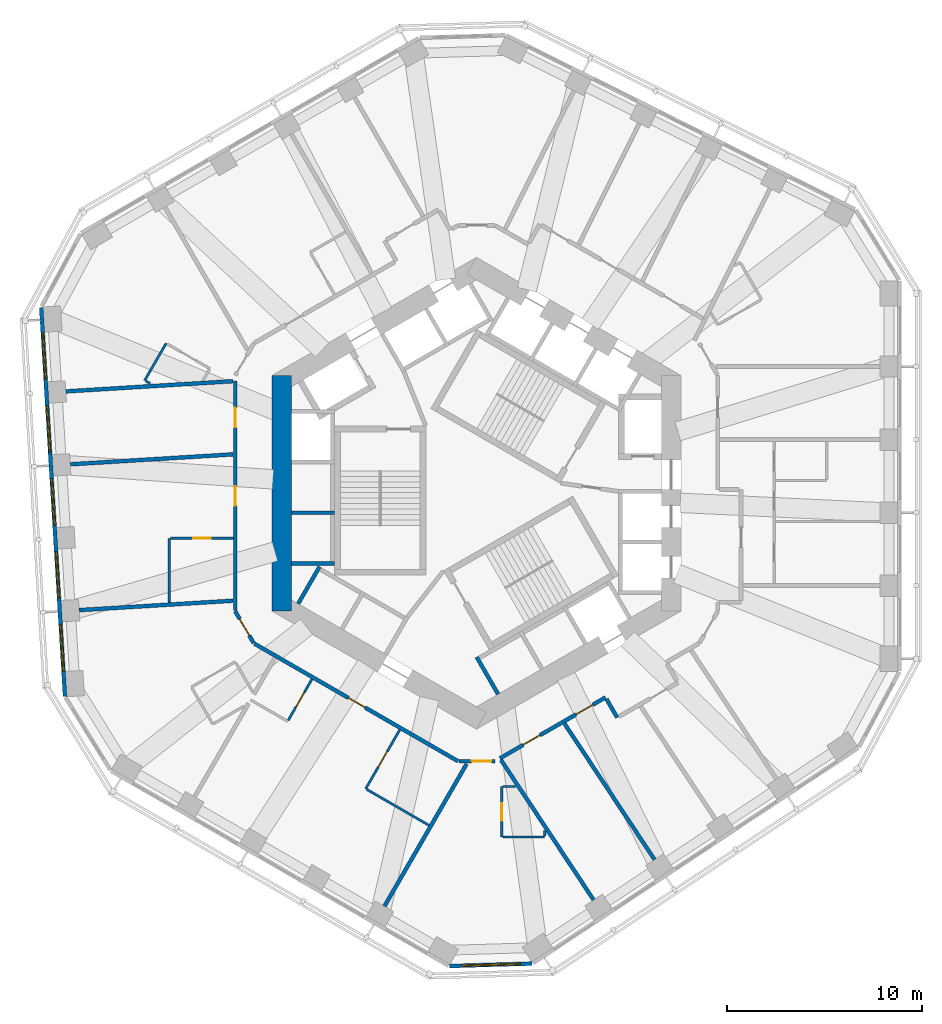
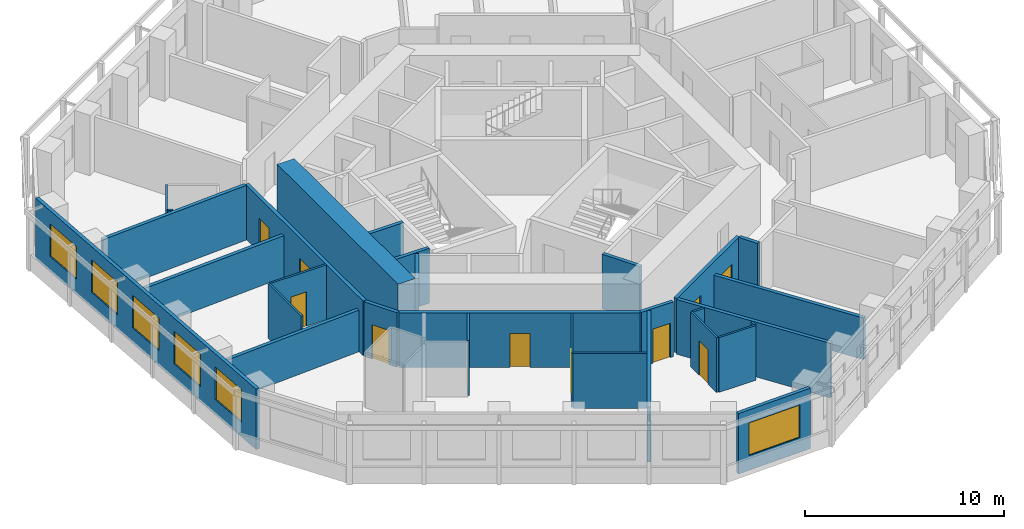
# One storey, part 4 of 11: 30 walls, 11 doors, 6 windows, 17 openings.
"""IFC4 building model written with IfcOpenShell, lengths in metres."""

import ifcopenshell
import ifcopenshell.guid

model = None  # the IFC model being written
_history = None  # IfcOwnerHistory: only IFC2X3 demands one
_inside = {}  # id of a spatial element -> (the spatial element, [elements in it])
_under = {}  # id of a project, library or spatial element -> (it, [spatial elements below it])
_declared = {}  # id of a project -> (the project, [libraries it declares])
_typed = {}  # id of a type object -> (the type object, [elements of that type])
_made_of = {}  # id of a material, layer set ... -> (it, [elements and type objects made of it])


def new_model(schema):
    """Start an empty IFC model of exactly this schema.

    Asked for "IFC4X3", IfcOpenShell would pick the latest addendum, in which some entities
    have other attributes; the version numbers below select the first issue.
    IFC2X3 requires an IfcOwnerHistory on every rooted entity: one is made here for all.
    """
    global model, _history
    if schema == "IFC4X3":
        model = ifcopenshell.file(schema_version=(4, 3, 0, 0))
    else:
        model = ifcopenshell.file(schema=schema)
    _inside.clear()
    _under.clear()
    _declared.clear()
    _typed.clear()
    _made_of.clear()
    _history = None
    if model.schema == "IFC2X3":
        org = make("IfcOrganization", Name="unknown")
        user = make(
            "IfcPersonAndOrganization",
            ThePerson=make("IfcPerson", FamilyName="unknown"),
            TheOrganization=org,
        )
        app = make(
            "IfcApplication",
            ApplicationDeveloper=org,
            Version="unknown",
            ApplicationFullName="unknown",
            ApplicationIdentifier="unknown",
        )
        _history = make(
            "IfcOwnerHistory",
            OwningUser=user,
            OwningApplication=app,
            ChangeAction="ADDED",
            CreationDate=0,
        )
    return model


def make(cls, **values):
    """One entity of the class cls with the attributes given. An attribute that is None is left unset."""
    return model.create_entity(
        cls, **{name: value for name, value in values.items() if value is not None}
    )


def rooted(cls, **values):
    """An entity with a GlobalId (a new one), such as an element, a storey or a relation."""
    return make(cls, GlobalId=ifcopenshell.guid.new(), OwnerHistory=_history, **values)


def si_unit(unit_type, name, prefix=None):
    """IfcSIUnit, for example si_unit("LENGTHUNIT", "METRE", prefix="MILLI")."""
    return make("IfcSIUnit", UnitType=unit_type, Prefix=prefix, Name=name)


def assignment(units):
    """IfcUnitAssignment: the units of a project."""
    return None if units is None else make("IfcUnitAssignment", Units=units)


def point(xyz):
    """IfcCartesianPoint."""
    return None if xyz is None else make("IfcCartesianPoint", Coordinates=xyz)


def direction(xyz):
    """IfcDirection."""
    return None if xyz is None else make("IfcDirection", DirectionRatios=xyz)


def frame(location, z_axis=None, x_axis=None):
    """IfcAxis2Placement3D, a coordinate frame: its origin and axes. An axis left out is left unset."""
    return make(
        "IfcAxis2Placement3D",
        Location=point(location),
        Axis=direction(z_axis),
        RefDirection=direction(x_axis),
    )


def frame_2d(location, x_axis=None):
    """IfcAxis2Placement2D, a coordinate frame in the plane: its origin and x axis."""
    return make(
        "IfcAxis2Placement2D", Location=point(location), RefDirection=direction(x_axis)
    )


def origin():
    """The frame at (0, 0, 0) with its axes left unset."""
    return frame((0.0, 0.0, 0.0))


def place(relative_to, where):
    """IfcLocalPlacement: puts the frame where relative to a parent placement (None: the world)."""
    return make(
        "IfcLocalPlacement", PlacementRelTo=relative_to, RelativePlacement=where
    )


def context(
    kind, dimensions, precision=None, world=None, true_north=None, identifier=None
):
    """IfcGeometricRepresentationContext, for example the 3D "Model" context."""
    return make(
        "IfcGeometricRepresentationContext",
        ContextIdentifier=identifier,
        ContextType=kind,
        CoordinateSpaceDimension=dimensions,
        Precision=precision,
        WorldCoordinateSystem=world,
        TrueNorth=true_north,
    )


def subcontext(parent, identifier, kind, view, scale=None):
    """IfcGeometricRepresentationSubContext, for example "Body" below "Model"."""
    return make(
        "IfcGeometricRepresentationSubContext",
        ContextIdentifier=identifier,
        ContextType=kind,
        ParentContext=parent,
        TargetScale=scale,
        TargetView=view,
    )


def project(units=None, contexts=None):
    """IfcProject with its units and contexts."""
    return rooted(
        "IfcProject",
        Name="project",
        RepresentationContexts=contexts,
        UnitsInContext=assignment(units),
    )


def spatial(cls, under=None, at=None, **own):
    """A site, building, storey or space (cls), placed at a placement, below another one or the project."""
    s = rooted(cls, ObjectPlacement=at, **own)
    if under is not None:
        _under.setdefault(under.id(), (under, []))[1].append(s)
    return s


def profile(cls, at=None, kind="AREA", **sizes):
    """A parametric profile (cls). Its sizes go by their IFC names, for example OverallWidth=200.0."""
    return make(cls, ProfileType=kind, Position=at, **sizes)


def rectangle(**sizes):
    """IfcRectangleProfileDef."""
    return profile("IfcRectangleProfileDef", **sizes)


def extrude(swept, where, along, depth):
    """IfcExtrudedAreaSolid: the profile swept, set in the frame where, extruded along a direction by depth."""
    return make(
        "IfcExtrudedAreaSolid",
        SweptArea=swept,
        Position=where,
        ExtrudedDirection=direction(along),
        Depth=depth,
    )


def shape(context_of_items, identifier, shape_type, items):
    """IfcShapeRepresentation: the items that make up one representation, for example the "Body"."""
    return make(
        "IfcShapeRepresentation",
        ContextOfItems=context_of_items,
        RepresentationIdentifier=identifier,
        RepresentationType=shape_type,
        Items=items,
    )


def material(Name=None, Category=None):
    """IfcMaterial."""
    return make("IfcMaterial", Name=Name, Category=Category)


def layer(
    of_material, thickness, ventilated=None, Name=None, Category=None, Priority=None
):
    """IfcMaterialLayer: one layer of a wall or slab, of a material (None: an air gap)."""
    return make(
        "IfcMaterialLayer",
        Material=of_material,
        LayerThickness=thickness,
        IsVentilated=ventilated,
        Name=Name,
        Category=Category,
        Priority=Priority,
    )


def layer_set(layers, Name=None):
    """IfcMaterialLayerSet."""
    return make("IfcMaterialLayerSet", MaterialLayers=layers, LayerSetName=Name)


def made_of(thing, what):
    """Note that an element or type object is made of a material, layer set ...; save() writes the relation."""
    if what is not None:
        _made_of.setdefault(what.id(), (what, []))[1].append(thing)
    return thing


def type_object(cls, material=None, **own):
    """A type object (cls), such as IfcWallType, which elements share."""
    return made_of(rooted(cls, **own), material)


def element(
    cls,
    number,
    at=None,
    inside=None,
    cuts=None,
    type_object=None,
    material=None,
    context=None,
    identifier="Body",
    shape_type=None,
    held_by="IfcProductDefinitionShape",
    body=None,
    shapes=None,
    **own,
):
    """One element of the class cls, such as IfcWall. Its Tag is "e" and its number.

    at: its placement. inside: the storey or other place that contains it. cuts: it is an
    opening in that element (IfcRelVoidsElement). A single representation is given by context,
    identifier, shape_type and body (its items); several are given by shapes. held_by: the class
    of the entity that holds the representations. save() writes the other relations.
    """
    e = rooted(cls, Tag="e%d" % number, ObjectPlacement=at, **own)
    if body is not None:
        shapes = [shape(context, identifier, shape_type, body)]
    if shapes is not None:
        e.Representation = make(held_by, Representations=shapes)
    if inside is not None:
        _inside.setdefault(inside.id(), (inside, []))[1].append(e)
    if cuts is not None:
        rooted(
            "IfcRelVoidsElement", RelatingBuildingElement=cuts, RelatedOpeningElement=e
        )
    if type_object is not None:
        _typed.setdefault(type_object.id(), (type_object, []))[1].append(e)
    return made_of(e, material)


def fill(opening, filler):
    """IfcRelFillsElement: the door or window that sits in an opening."""
    return rooted(
        "IfcRelFillsElement",
        RelatingOpeningElement=opening,
        RelatedBuildingElement=filler,
    )


def aggregate(whole, parts):
    """IfcRelAggregates: a whole, such as a stair, and the parts it consists of."""
    return rooted("IfcRelAggregates", RelatingObject=whole, RelatedObjects=parts)


def save(model, path):
    """Write the relations noted so far, then the file.

    IfcRelAggregates (storeys below a building ...), IfcRelContainedInSpatialStructure (elements
    in a storey), IfcRelDefinesByType, IfcRelAssociatesMaterial and IfcRelDeclares: one each for
    every whole, place, type object, material and project.
    """
    for whole, parts in _under.values():
        aggregate(whole, parts)
    for where, things in _inside.values():
        rooted(
            "IfcRelContainedInSpatialStructure",
            RelatedElements=things,
            RelatingStructure=where,
        )
    for kind, things in _typed.values():
        rooted("IfcRelDefinesByType", RelatedObjects=things, RelatingType=kind)
    for what, things in _made_of.values():
        rooted("IfcRelAssociatesMaterial", RelatedObjects=things, RelatingMaterial=what)
    for by, libraries in _declared.values():
        rooted("IfcRelDeclares", RelatingContext=by, RelatedDefinitions=libraries)
    model.write(path)


model = new_model("IFC4")

# Units and contexts
model_context = context("Model", 3, precision=1e-05, world=origin(), true_north=direction((0.0, 1.0)))
body_context = subcontext(model_context, "Body", "Model", "MODEL_VIEW")
ifc_project = project(units=[si_unit("LENGTHUNIT", "METRE"), si_unit("AREAUNIT", "SQUARE_METRE"), si_unit("VOLUMEUNIT", "CUBIC_METRE"), si_unit("PLANEANGLEUNIT", "RADIAN"), si_unit("MASSUNIT", "GRAM", prefix="KILO")], contexts=[model_context])

# Site, building, storey
site_placement = place(None, origin())
site = spatial("IfcSite", under=ifc_project, at=site_placement, CompositionType="ELEMENT")
building_placement = place(site_placement, origin())
building = spatial("IfcBuilding", under=site, at=building_placement, Name="Vanh Sen Convention Tower", CompositionType="ELEMENT")
storey_placement = place(building_placement, frame((0.0, 0.0, 135.5)))
storey = spatial("IfcBuildingStorey", under=building, at=storey_placement, Name="L33", CompositionType="ELEMENT", Elevation=135.5)

# Walls
ifc_material_1 = material(Name="Moisture-resistant gypsum board on steel studs", Category="steel")
ifc_layer_1 = layer(ifc_material_1, 0.1201171875)
ifc_layer_set_1 = layer_set([ifc_layer_1], Name="Moisture-resistant gypsum board on steel studs")
wall_type_1 = type_object("IfcWallType", Name="Bathroom partition 120", PredefinedType="PARTITIONING", material=ifc_layer_set_1)
wall_1_placement = place(storey_placement, frame((-17.052490234375, 5.8037109375, 0.0), z_axis=(0.0, 0.0, 1.0), x_axis=(0.50002983664, 0.866008176907, 0.0)))
element("IfcWall", 1, at=wall_1_placement, inside=storey, type_object=wall_type_1, Name="Bathroom partition 120", PredefinedType="PARTITIONING", context=body_context, shape_type="SweptSolid", body=[
    extrude(rectangle(XDim=2.199951171875, YDim=0.1201171875, at=frame_2d((1.10009765625, 0.0))), origin(), (0.0, 0.0, 1.0), 3.35009765625),
])
wall_2_placement = place(storey_placement, frame((-16.769287109375, 5.64013671875, 0.0), z_axis=(0.0, 0.0, 1.0), x_axis=(-0.865926680471, 0.500170954823, 0.0)))
element("IfcWall", 2, at=wall_2_placement, inside=storey, type_object=wall_type_1, Name="Bathroom partition 120", PredefinedType="PARTITIONING", context=body_context, shape_type="SweptSolid", body=[
    extrude(rectangle(XDim=0.26708984375, YDim=0.1201171875, at=frame_2d((0.133544921875, 0.0))), origin(), (0.0, 0.0, 1.0), 3.35009765625),
])
wall_3_placement = place(storey_placement, frame((-15.800048828125, -5.622314453125, 0.0), z_axis=(0.0, 0.0, 1.0), x_axis=(0.0, 1.0, 0.0)))
element("IfcWall", 3, at=wall_3_placement, inside=storey, type_object=wall_type_1, Name="Bathroom partition 120", PredefinedType="PARTITIONING", context=body_context, shape_type="SweptSolid", body=[
    extrude(rectangle(XDim=3.30810546875, YDim=0.1201171875, at=frame_2d((1.654052734375, 0.0))), origin(), (0.0, 0.0, 1.0), 3.35009765625),
])

# Wall, opening, door
wall_4_placement = place(storey_placement, frame((-15.739990234375, -2.314208984375, 0.0), z_axis=(0.0, 0.0, 1.0), x_axis=(1.0, 0.0, 0.0)))
wall_4 = element("IfcWall", 4, at=wall_4_placement, inside=storey, type_object=wall_type_1, Name="Bathroom partition 120", PredefinedType="PARTITIONING", context=body_context, shape_type="SweptSolid", body=[
    extrude(rectangle(XDim=3.239990234375, YDim=0.1201171875, at=frame_2d((1.6201171875, 0.0))), origin(), (0.0, 0.0, 1.0), 3.35009765625),
])
opening_1_placement = place(wall_4_placement, frame((1.169921875, 0.0, 0.0)))
opening_1 = element("IfcOpeningElement", 5, at=opening_1_placement, cuts=wall_4, Name="Opening D32119", PredefinedType="OPENING", context=body_context, shape_type="SweptSolid", body=[
    extrude(rectangle(XDim=0.89990234375, YDim=2.10009765625, at=frame_2d((0.449951171875, 1.050048828125))), frame((0.0, 0.070068359375, 0.0), z_axis=(0.0, -1.0, 0.0), x_axis=(1.0, 0.0, 0.0)), (0.0, 0.0, 1.0), 0.14013671875),
])
ifc_material_2 = material(Name="Laminate door in steel frame", Category="steel")
door_type_1 = type_object("IfcDoorType", Name="Room internal door 900", OperationType="SINGLE_SWING_LEFT", PredefinedType="DOOR", material=ifc_material_2)
door_1_placement = place(opening_1_placement, origin())
door_1 = element("IfcDoor", 6, at=door_1_placement, inside=storey, type_object=door_type_1, Name="Internal room door D32119", OperationType="SINGLE_SWING_LEFT", OverallHeight=2.10009765625, OverallWidth=0.89990234375, PredefinedType="DOOR", context=body_context, shape_type="SweptSolid", body=[
    extrude(rectangle(XDim=0.89990234375, YDim=2.10009765625, at=frame_2d((0.449951171875, 1.050048828125))), frame((0.0, 0.02490234375, 0.0), z_axis=(0.0, -1.0, 0.0), x_axis=(1.0, 0.0, 0.0)), (0.0, 0.0, 1.0), 0.050048828125),
])
fill(opening_1, door_1)

wall_5_placement = place(storey_placement, frame((-8.455810546875, -9.552001953125, 0.0), z_axis=(0.0, 0.0, 1.0), x_axis=(-0.500002508028, -0.866023955769, 0.0)))
wall_5 = element("IfcWall", 7, at=wall_5_placement, inside=storey, type_object=wall_type_1, Name="Bathroom partition 120", PredefinedType="PARTITIONING", context=body_context, shape_type="SweptSolid", body=[
    extrude(rectangle(XDim=2.43994140625, YDim=0.1201171875, at=frame_2d((1.219970703125, 0.0))), origin(), (0.0, 0.0, 1.0), 3.35009765625),
])
opening_2_placement = place(wall_5_placement, frame((0.77001953125, 0.0, 0.0)))
opening_2 = element("IfcOpeningElement", 8, at=opening_2_placement, cuts=wall_5, Name="Opening D32123", PredefinedType="OPENING", context=body_context, shape_type="SweptSolid", body=[
    extrude(rectangle(XDim=0.89990234375, YDim=2.10009765625, at=frame_2d((0.449951171875, 1.050048828125))), frame((0.0, 0.070068359375, 0.0), z_axis=(0.0, -1.0, 0.0), x_axis=(1.0, 0.0, 0.0)), (0.0, 0.0, 1.0), 0.14013671875),
])
door_2_placement = place(opening_2_placement, origin())
door_2 = element("IfcDoor", 9, at=door_2_placement, inside=storey, type_object=door_type_1, Name="Internal room door D32123", OperationType="SINGLE_SWING_LEFT", OverallHeight=2.10009765625, OverallWidth=0.89990234375, PredefinedType="DOOR", context=body_context, shape_type="SweptSolid", body=[
    extrude(rectangle(XDim=0.89990234375, YDim=2.10009765625, at=frame_2d((0.449951171875, 1.050048828125))), frame((0.0, 0.02490234375, 0.0), z_axis=(0.0, -1.0, 0.0), x_axis=(1.0, 0.0, 0.0)), (0.0, 0.0, 1.0), 0.050048828125),
])
fill(opening_2, door_2)

wall_6_placement = place(storey_placement, frame((-5.694580078125, -15.1875, 0.0), z_axis=(0.0, 0.0, 1.0), x_axis=(0.500010275428, 0.866019471182, 0.0)))
wall_6 = element("IfcWall", 10, at=wall_6_placement, inside=storey, type_object=wall_type_1, Name="Bathroom partition 120", PredefinedType="PARTITIONING", context=body_context, shape_type="SweptSolid", body=[
    extrude(rectangle(XDim=3.5, YDim=0.1201171875, at=frame_2d((1.75, 0.0))), origin(), (0.0, 0.0, 1.0), 3.35009765625),
])
opening_3_placement = place(wall_6_placement, frame((1.300048828125, 0.0, 0.0)))
opening_3 = element("IfcOpeningElement", 11, at=opening_3_placement, cuts=wall_6, Name="Opening D32124", PredefinedType="OPENING", context=body_context, shape_type="SweptSolid", body=[
    extrude(rectangle(XDim=0.89990234375, YDim=2.10009765625, at=frame_2d((0.449951171875, 1.050048828125))), frame((0.0, 0.070068359375, 0.0), z_axis=(0.0, -1.0, 0.0), x_axis=(1.0, 0.0, 0.0)), (0.0, 0.0, 1.0), 0.14013671875),
])
door_3_placement = place(opening_3_placement, origin())
door_3 = element("IfcDoor", 12, at=door_3_placement, inside=storey, type_object=door_type_1, Name="Internal room door D32124", OperationType="SINGLE_SWING_LEFT", OverallHeight=2.10009765625, OverallWidth=0.89990234375, PredefinedType="DOOR", context=body_context, shape_type="SweptSolid", body=[
    extrude(rectangle(XDim=0.89990234375, YDim=2.10009765625, at=frame_2d((0.449951171875, 1.050048828125))), frame((0.0, 0.02490234375, 0.0), z_axis=(0.0, -1.0, 0.0), x_axis=(1.0, 0.0, 0.0)), (0.0, 0.0, 1.0), 0.050048828125),
])
fill(opening_3, door_3)

# Wall
wall_7_placement = place(storey_placement, frame((-2.444091796875, -17.064208984375, 0.0), z_axis=(0.0, 0.0, 1.0), x_axis=(-0.86602156466, 0.500006649499, 0.0)))
element("IfcWall", 13, at=wall_7_placement, inside=storey, type_object=wall_type_1, Name="Bathroom partition 120", PredefinedType="PARTITIONING", context=body_context, shape_type="SweptSolid", body=[
    extrude(rectangle(XDim=3.693359375, YDim=0.1201171875, at=frame_2d((1.8466796875, 0.0))), origin(), (0.0, 0.0, 1.0), 3.35009765625),
])

# Wall, opening, door
wall_8_placement = place(storey_placement, frame((1.300048828125, -17.669921875, 0.0), z_axis=(0.0, 0.0, 1.0), x_axis=(0.0, 1.0, 0.0)))
wall_8 = element("IfcWall", 14, at=wall_8_placement, inside=storey, type_object=wall_type_1, Name="Bathroom partition 120", PredefinedType="PARTITIONING", context=body_context, shape_type="SweptSolid", body=[
    extrude(rectangle(XDim=2.60009765625, YDim=0.1201171875, at=frame_2d((1.300048828125, 0.0))), origin(), (0.0, 0.0, 1.0), 3.35009765625),
])
opening_4_placement = place(wall_8_placement, frame((0.85009765625, 0.0, 0.0)))
opening_4 = element("IfcOpeningElement", 15, at=opening_4_placement, cuts=wall_8, Name="Opening D32126", PredefinedType="OPENING", context=body_context, shape_type="SweptSolid", body=[
    extrude(rectangle(XDim=0.89990234375, YDim=2.10009765625, at=frame_2d((0.449951171875, 1.050048828125))), frame((0.0, 0.070068359375, 0.0), z_axis=(0.0, -1.0, 0.0), x_axis=(1.0, 0.0, 0.0)), (0.0, 0.0, 1.0), 0.14013671875),
])
door_4_placement = place(opening_4_placement, origin())
door_4 = element("IfcDoor", 16, at=door_4_placement, inside=storey, type_object=door_type_1, Name="Internal room door D32126", OperationType="SINGLE_SWING_LEFT", OverallHeight=2.10009765625, OverallWidth=0.89990234375, PredefinedType="DOOR", context=body_context, shape_type="SweptSolid", body=[
    extrude(rectangle(XDim=0.89990234375, YDim=2.10009765625, at=frame_2d((0.449951171875, 1.050048828125))), frame((0.0, 0.02490234375, 0.0), z_axis=(0.0, -1.0, 0.0), x_axis=(1.0, 0.0, 0.0)), (0.0, 0.0, 1.0), 0.050048828125),
])
fill(opening_4, door_4)

# Walls
wall_9_placement = place(storey_placement, frame((1.360107421875, -15.06982421875, 0.0), z_axis=(0.0, 0.0, 1.0), x_axis=(1.0, 0.0, 0.0)))
element("IfcWall", 17, at=wall_9_placement, inside=storey, type_object=wall_type_1, Name="Bathroom partition 120", PredefinedType="PARTITIONING", context=body_context, shape_type="SweptSolid", body=[
    extrude(rectangle(XDim=0.65087890625, YDim=0.1201171875, at=frame_2d((0.325439453125, 0.0))), origin(), (0.0, 0.0, 1.0), 3.35009765625),
])
wall_10_placement = place(storey_placement, frame((3.5, -17.669921875, 0.0), z_axis=(0.0, 0.0, 1.0), x_axis=(-1.0, 0.0, 0.0)))
element("IfcWall", 18, at=wall_10_placement, inside=storey, type_object=wall_type_1, Name="Bathroom partition 120", PredefinedType="PARTITIONING", context=body_context, shape_type="SweptSolid", body=[
    extrude(rectangle(XDim=2.139892578125, YDim=0.1201171875, at=frame_2d((1.06982421875, 0.0))), origin(), (0.0, 0.0, 1.0), 3.35009765625),
])
wall_11_placement = place(storey_placement, frame((3.5, -17.3427734375, 0.0), z_axis=(0.0, 0.0, 1.0), x_axis=(0.0, -1.0, 0.0)))
element("IfcWall", 19, at=wall_11_placement, inside=storey, type_object=wall_type_1, Name="Bathroom partition 120", PredefinedType="PARTITIONING", context=body_context, shape_type="SweptSolid", body=[
    extrude(rectangle(XDim=0.26708984375, YDim=0.1201171875, at=frame_2d((0.133544921875, 0.0))), origin(), (0.0, 0.0, 1.0), 3.35009765625),
])
ifc_material_3 = material(Name="Concrete C80/95", Category="concrete")
ifc_layer_2 = layer(ifc_material_3, 1.0)
ifc_layer_set_2 = layer_set([ifc_layer_2], Name="Concrete C80/95")
wall_type_2 = type_object("IfcWallType", Name="Core outer wall 1000 C80/95", PredefinedType="SHEAR", material=ifc_layer_set_2)
wall_12_placement = place(storey_placement, frame((-10.0, 6.062255859375, 0.0), z_axis=(0.0, 0.0, 1.0), x_axis=(0.0, -1.0, 0.0)))
element("IfcWall", 20, at=wall_12_placement, inside=storey, type_object=wall_type_2, Name="Core wall face W L33", PredefinedType="SHEAR", context=body_context, shape_type="SweptSolid", body=[
    extrude(rectangle(XDim=12.12451171875, YDim=1.0, at=frame_2d((6.062255859375, 0.0))), origin(), (0.0, 0.0, 1.0), 3.699951171875),
])

# Wall, opening, door
ifc_material_4 = material(Name="Gypsum board on steel studs with mineral wool", Category="steel")
ifc_layer_3 = layer(ifc_material_4, 0.199951171875)
ifc_layer_set_3 = layer_set([ifc_layer_3], Name="Gypsum board on steel studs with mineral wool")
wall_type_3 = type_object("IfcWallType", Name="Corridor partition wall 200", PredefinedType="PARTITIONING", material=ifc_layer_set_3)
wall_13_placement = place(storey_placement, frame((-12.39990234375, -6.062255859375, 0.0), z_axis=(0.0, 0.0, 1.0), x_axis=(0.500022797313, -0.86601224135, 0.0)))
wall_13 = element("IfcWall", 21, at=wall_13_placement, inside=storey, type_object=wall_type_3, Name="Corridor partition wall 200", PredefinedType="PARTITIONING", context=body_context, shape_type="SweptSolid", body=[
    extrude(rectangle(XDim=1.89990234375, YDim=0.199951171875, at=frame_2d((0.949951171875, 0.0))), origin(), (0.0, 0.0, 1.0), 3.35009765625),
])
opening_5_placement = place(wall_13_placement, frame((0.449951171875, 0.0, 0.0)))
opening_5 = element("IfcOpeningElement", 22, at=opening_5_placement, cuts=wall_13, Name="Opening D32120", PredefinedType="OPENING", context=body_context, shape_type="SweptSolid", body=[
    extrude(rectangle(XDim=1.0, YDim=2.10009765625, at=frame_2d((0.5, 1.050048828125))), frame((0.0, 0.10986328125, 0.0), z_axis=(0.0, -1.0, 0.0), x_axis=(1.0, 0.0, 0.0)), (0.0, 0.0, 1.0), 0.219970703125),
])
ifc_material_5 = material(Name="Glazed fire door in steel frame", Category="steel")
door_type_2 = type_object("IfcDoorType", Name="Tenant entrance door 1000", OperationType="SINGLE_SWING_LEFT", PredefinedType="DOOR", material=ifc_material_5)
door_5_placement = place(opening_5_placement, origin())
door_5 = element("IfcDoor", 23, at=door_5_placement, inside=storey, type_object=door_type_2, Name="Tenant suite entrance door D32120", OperationType="SINGLE_SWING_LEFT", OverallHeight=2.10009765625, OverallWidth=1.0, PredefinedType="DOOR", context=body_context, shape_type="SweptSolid", body=[
    extrude(rectangle(XDim=1.0, YDim=2.10009765625, at=frame_2d((0.5, 1.050048828125))), frame((0.0, 0.02490234375, 0.0), z_axis=(0.0, -1.0, 0.0), x_axis=(1.0, 0.0, 0.0)), (0.0, 0.0, 1.0), 0.050048828125),
])
fill(opening_5, door_5)

# Wall, openings, doors
wall_14_placement = place(storey_placement, frame((-12.39990234375, 5.769287109375, 0.0), z_axis=(0.0, 0.0, 1.0), x_axis=(0.0, -1.0, 0.0)))
wall_14 = element("IfcWall", 24, at=wall_14_placement, inside=storey, type_object=wall_type_3, Name="Corridor partition wall 200", PredefinedType="PARTITIONING", context=body_context, shape_type="SweptSolid", body=[
    extrude(rectangle(XDim=11.79150390625, YDim=0.199951171875, at=frame_2d((5.895751953125, 0.0))), origin(), (0.0, 0.0, 1.0), 3.35009765625),
])
opening_6_placement = place(wall_14_placement, frame((1.380615234375, 0.0, 0.0)))
opening_6 = element("IfcOpeningElement", 25, at=opening_6_placement, cuts=wall_14, Name="Opening D32117", PredefinedType="OPENING", context=body_context, shape_type="SweptSolid", body=[
    extrude(rectangle(XDim=1.0, YDim=2.10009765625, at=frame_2d((0.5, 1.050048828125))), frame((0.0, 0.10986328125, 0.0), z_axis=(0.0, -1.0, 0.0), x_axis=(1.0, 0.0, 0.0)), (0.0, 0.0, 1.0), 0.219970703125),
])
opening_7_placement = place(wall_14_placement, frame((5.397216796875, 0.0, 0.0)))
opening_7 = element("IfcOpeningElement", 26, at=opening_7_placement, cuts=wall_14, Name="Opening D32118", PredefinedType="OPENING", context=body_context, shape_type="SweptSolid", body=[
    extrude(rectangle(XDim=1.0, YDim=2.10009765625, at=frame_2d((0.5, 1.050048828125))), frame((0.0, 0.10986328125, 0.0), z_axis=(0.0, -1.0, 0.0), x_axis=(1.0, 0.0, 0.0)), (0.0, 0.0, 1.0), 0.219970703125),
])
door_6_placement = place(opening_6_placement, origin())
door_6 = element("IfcDoor", 27, at=door_6_placement, inside=storey, type_object=door_type_2, Name="Tenant suite entrance door D32117", OperationType="SINGLE_SWING_LEFT", OverallHeight=2.10009765625, OverallWidth=1.0, PredefinedType="DOOR", context=body_context, shape_type="SweptSolid", body=[
    extrude(rectangle(XDim=1.0, YDim=2.10009765625, at=frame_2d((0.5, 1.050048828125))), frame((0.0, 0.02490234375, 0.0), z_axis=(0.0, -1.0, 0.0), x_axis=(1.0, 0.0, 0.0)), (0.0, 0.0, 1.0), 0.050048828125),
])
fill(opening_6, door_6)
door_7_placement = place(opening_7_placement, origin())
door_7 = element("IfcDoor", 28, at=door_7_placement, inside=storey, type_object=door_type_2, Name="Tenant suite entrance door D32118", OperationType="SINGLE_SWING_LEFT", OverallHeight=2.10009765625, OverallWidth=1.0, PredefinedType="DOOR", context=body_context, shape_type="SweptSolid", body=[
    extrude(rectangle(XDim=1.0, YDim=2.10009765625, at=frame_2d((0.5, 1.050048828125))), frame((0.0, 0.02490234375, 0.0), z_axis=(0.0, -1.0, 0.0), x_axis=(1.0, 0.0, 0.0)), (0.0, 0.0, 1.0), 0.050048828125),
])
fill(opening_7, door_7)

# Wall, opening, door
wall_15_placement = place(storey_placement, frame((-11.415283203125, -7.7275390625, 0.0), z_axis=(0.0, 0.0, 1.0), x_axis=(0.866022749921, -0.500004596598, 0.0)))
wall_15 = element("IfcWall", 29, at=wall_15_placement, inside=storey, type_object=wall_type_3, Name="Corridor partition wall 200", PredefinedType="PARTITIONING", context=body_context, shape_type="SweptSolid", body=[
    extrude(rectangle(XDim=12.08447265625, YDim=0.199951171875, at=frame_2d((6.042236328125, 0.0))), origin(), (0.0, 0.0, 1.0), 3.35009765625),
])
opening_8_placement = place(wall_15_placement, frame((5.579833984375, 0.0, 0.0)))
opening_8 = element("IfcOpeningElement", 30, at=opening_8_placement, cuts=wall_15, Name="Opening D32122", PredefinedType="OPENING", context=body_context, shape_type="SweptSolid", body=[
    extrude(rectangle(XDim=1.0, YDim=2.10009765625, at=frame_2d((0.5, 1.050048828125))), frame((0.0, 0.10986328125, 0.0), z_axis=(0.0, -1.0, 0.0), x_axis=(1.0, 0.0, 0.0)), (0.0, 0.0, 1.0), 0.219970703125),
])
door_8_placement = place(opening_8_placement, origin())
door_8 = element("IfcDoor", 31, at=door_8_placement, inside=storey, type_object=door_type_2, Name="Tenant suite entrance door D32122", OperationType="SINGLE_SWING_LEFT", OverallHeight=2.10009765625, OverallWidth=1.0, PredefinedType="DOOR", context=body_context, shape_type="SweptSolid", body=[
    extrude(rectangle(XDim=1.0, YDim=2.10009765625, at=frame_2d((0.5, 1.050048828125))), frame((0.0, 0.02490234375, 0.0), z_axis=(0.0, -1.0, 0.0), x_axis=(1.0, 0.0, 0.0)), (0.0, 0.0, 1.0), 0.050048828125),
])
fill(opening_8, door_8)

wall_16_placement = place(storey_placement, frame((-0.909912109375, -13.769775390625, 0.0), z_axis=(0.0, 0.0, 1.0), x_axis=(1.0, 0.0, 0.0)))
wall_16 = element("IfcWall", 32, at=wall_16_placement, inside=storey, type_object=wall_type_3, Name="Corridor partition wall 200", PredefinedType="PARTITIONING", context=body_context, shape_type="SweptSolid", body=[
    extrude(rectangle(XDim=1.85986328125, YDim=0.199951171875, at=frame_2d((0.929931640625, 0.0))), origin(), (0.0, 0.0, 1.0), 3.35009765625),
])
opening_9_placement = place(wall_16_placement, frame((0.671630859375, 0.0, 0.0)))
opening_9 = element("IfcOpeningElement", 33, at=opening_9_placement, cuts=wall_16, Name="Opening D32125", PredefinedType="OPENING", context=body_context, shape_type="SweptSolid", body=[
    extrude(rectangle(XDim=1.0, YDim=2.10009765625, at=frame_2d((0.5, 1.050048828125))), frame((0.0, 0.10986328125, 0.0), z_axis=(0.0, -1.0, 0.0), x_axis=(1.0, 0.0, 0.0)), (0.0, 0.0, 1.0), 0.219970703125),
])
door_9_placement = place(opening_9_placement, origin())
door_9 = element("IfcDoor", 34, at=door_9_placement, inside=storey, type_object=door_type_2, Name="Tenant suite entrance door D32125", OperationType="SINGLE_SWING_LEFT", OverallHeight=2.10009765625, OverallWidth=1.0, PredefinedType="DOOR", context=body_context, shape_type="SweptSolid", body=[
    extrude(rectangle(XDim=1.0, YDim=2.10009765625, at=frame_2d((0.5, 1.050048828125))), frame((0.0, 0.02490234375, 0.0), z_axis=(0.0, -1.0, 0.0), x_axis=(1.0, 0.0, 0.0)), (0.0, 0.0, 1.0), 0.050048828125),
])
fill(opening_9, door_9)

# Wall, openings, doors
wall_17_placement = place(storey_placement, frame((1.20361328125, -13.623291015625, 0.0), z_axis=(0.0, 0.0, 1.0), x_axis=(0.866031867142, 0.49998880497, 0.0)))
wall_17 = element("IfcWall", 35, at=wall_17_placement, inside=storey, type_object=wall_type_3, Name="Corridor partition wall 200", PredefinedType="PARTITIONING", context=body_context, shape_type="SweptSolid", body=[
    extrude(rectangle(XDim=6.268310546875, YDim=0.199951171875, at=frame_2d((3.13427734375, 0.0))), origin(), (0.0, 0.0, 1.0), 3.35009765625),
])
opening_10_placement = place(wall_17_placement, frame((1.380615234375, 0.0, 0.0)))
opening_10 = element("IfcOpeningElement", 36, at=opening_10_placement, cuts=wall_17, Name="Opening D32127", PredefinedType="OPENING", context=body_context, shape_type="SweptSolid", body=[
    extrude(rectangle(XDim=1.0, YDim=2.10009765625, at=frame_2d((0.5, 1.050048828125))), frame((0.0, 0.10986328125, 0.0), z_axis=(0.0, -1.0, 0.0), x_axis=(1.0, 0.0, 0.0)), (0.0, 0.0, 1.0), 0.219970703125),
])
opening_11_placement = place(wall_17_placement, frame((4.5146484375, 0.0, 0.0)))
opening_11 = element("IfcOpeningElement", 37, at=opening_11_placement, cuts=wall_17, Name="Opening D32128", PredefinedType="OPENING", context=body_context, shape_type="SweptSolid", body=[
    extrude(rectangle(XDim=1.0, YDim=2.10009765625, at=frame_2d((0.5, 1.050048828125))), frame((0.0, 0.10986328125, 0.0), z_axis=(0.0, -1.0, 0.0), x_axis=(1.0, 0.0, 0.0)), (0.0, 0.0, 1.0), 0.219970703125),
])
door_10_placement = place(opening_10_placement, origin())
door_10 = element("IfcDoor", 38, at=door_10_placement, inside=storey, type_object=door_type_2, Name="Tenant suite entrance door D32127", OperationType="SINGLE_SWING_LEFT", OverallHeight=2.10009765625, OverallWidth=1.0, PredefinedType="DOOR", context=body_context, shape_type="SweptSolid", body=[
    extrude(rectangle(XDim=1.0, YDim=2.10009765625, at=frame_2d((0.5, 1.050048828125))), frame((0.0, 0.02490234375, 0.0), z_axis=(0.0, -1.0, 0.0), x_axis=(1.0, 0.0, 0.0)), (0.0, 0.0, 1.0), 0.050048828125),
])
fill(opening_10, door_10)
door_11_placement = place(opening_11_placement, origin())
door_11 = element("IfcDoor", 39, at=door_11_placement, inside=storey, type_object=door_type_2, Name="Tenant suite entrance door D32128", OperationType="SINGLE_SWING_LEFT", OverallHeight=2.10009765625, OverallWidth=1.0, PredefinedType="DOOR", context=body_context, shape_type="SweptSolid", body=[
    extrude(rectangle(XDim=1.0, YDim=2.10009765625, at=frame_2d((0.5, 1.050048828125))), frame((0.0, 0.02490234375, 0.0), z_axis=(0.0, -1.0, 0.0), x_axis=(1.0, 0.0, 0.0)), (0.0, 0.0, 1.0), 0.050048828125),
])
fill(opening_11, door_11)

# Wall
wall_18_placement = place(storey_placement, frame((6.68212890625, -10.57568359375, 0.0), z_axis=(0.0, 0.0, 1.0), x_axis=(0.499978356969, -0.866037899034, 0.0)))
element("IfcWall", 40, at=wall_18_placement, inside=storey, type_object=wall_type_3, Name="Corridor partition wall 200", PredefinedType="PARTITIONING", context=body_context, shape_type="SweptSolid", body=[
    extrude(rectangle(XDim=1.10107421875, YDim=0.199951171875, at=frame_2d((0.550537109375, 0.0))), origin(), (0.0, 0.0, 1.0), 3.35009765625),
])

# Wall, openings, windows
ifc_material_6 = material(Name="Insulated lightweight infill wall")
ifc_layer_4 = layer(ifc_material_6, 0.199951171875)
ifc_layer_set_4 = layer_set([ifc_layer_4], Name="Insulated lightweight infill wall")
wall_type_4 = type_object("IfcWallType", Name="External wall 200", PredefinedType="STANDARD", material=ifc_layer_set_4)
wall_19_placement = place(storey_placement, frame((-22.375, 9.55712890625, 0.0), z_axis=(0.0, 0.0, 1.0), x_axis=(0.061036015339, -0.998135564356, 0.0)))
wall_19 = element("IfcWall", 41, at=wall_19_placement, inside=storey, type_object=wall_type_4, Name="External wall W L33", PredefinedType="STANDARD", context=body_context, shape_type="SweptSolid", body=[
    extrude(rectangle(XDim=20.043701171875, YDim=0.199951171875, at=frame_2d((10.02197265625, 0.0))), origin(), (0.0, 0.0, 1.0), 3.699951171875),
])
opening_12_placement = place(wall_19_placement, frame((1.312744140625, 0.0, 0.89990234375)))
opening_12 = element("IfcOpeningElement", 42, at=opening_12_placement, cuts=wall_19, Name="Opening WO1-W1", PredefinedType="OPENING", context=body_context, shape_type="SweptSolid", body=[
    extrude(rectangle(XDim=2.39990234375, YDim=2.0, at=frame_2d((1.199951171875, 1.0))), frame((0.0, 0.10986328125, 0.0), z_axis=(0.0, -1.0, 0.0), x_axis=(1.0, 0.0, 0.0)), (0.0, 0.0, 1.0), 0.219970703125),
])
opening_13_placement = place(wall_19_placement, frame((5.06689453125, 0.0, 0.89990234375)))
opening_13 = element("IfcOpeningElement", 43, at=opening_13_placement, cuts=wall_19, Name="Opening WO1-W2", PredefinedType="OPENING", context=body_context, shape_type="SweptSolid", body=[
    extrude(rectangle(XDim=2.39990234375, YDim=2.0, at=frame_2d((1.199951171875, 1.0))), frame((0.0, 0.10986328125, 0.0), z_axis=(0.0, -1.0, 0.0), x_axis=(1.0, 0.0, 0.0)), (0.0, 0.0, 1.0), 0.219970703125),
])
opening_14_placement = place(wall_19_placement, frame((8.821044921875, 0.0, 0.89990234375)))
opening_14 = element("IfcOpeningElement", 44, at=opening_14_placement, cuts=wall_19, Name="Opening WO1-W3", PredefinedType="OPENING", context=body_context, shape_type="SweptSolid", body=[
    extrude(rectangle(XDim=2.39990234375, YDim=2.0, at=frame_2d((1.199951171875, 1.0))), frame((0.0, 0.10986328125, 0.0), z_axis=(0.0, -1.0, 0.0), x_axis=(1.0, 0.0, 0.0)), (0.0, 0.0, 1.0), 0.219970703125),
])
opening_15_placement = place(wall_19_placement, frame((12.5751953125, 0.0, 0.89990234375)))
opening_15 = element("IfcOpeningElement", 45, at=opening_15_placement, cuts=wall_19, Name="Opening WO1-W4", PredefinedType="OPENING", context=body_context, shape_type="SweptSolid", body=[
    extrude(rectangle(XDim=2.39990234375, YDim=2.0, at=frame_2d((1.199951171875, 1.0))), frame((0.0, 0.10986328125, 0.0), z_axis=(0.0, -1.0, 0.0), x_axis=(1.0, 0.0, 0.0)), (0.0, 0.0, 1.0), 0.219970703125),
])
opening_16_placement = place(wall_19_placement, frame((16.329345703125, 0.0, 0.89990234375)))
opening_16 = element("IfcOpeningElement", 46, at=opening_16_placement, cuts=wall_19, Name="Opening WO1-W5", PredefinedType="OPENING", context=body_context, shape_type="SweptSolid", body=[
    extrude(rectangle(XDim=2.39990234375, YDim=2.0, at=frame_2d((1.199951171875, 1.0))), frame((0.0, 0.10986328125, 0.0), z_axis=(0.0, -1.0, 0.0), x_axis=(1.0, 0.0, 0.0)), (0.0, 0.0, 1.0), 0.219970703125),
])
ifc_material_7 = material(Name="Aluminium frame with clear low-emissivity glass", Category="aluminium")
window_type_1 = type_object("IfcWindowType", Name="Office window 2400 x 2000", PartitioningType="SINGLE_PANEL", PredefinedType="WINDOW", material=ifc_material_7)
window_1_placement = place(opening_12_placement, origin())
window_1 = element("IfcWindow", 47, at=window_1_placement, inside=storey, type_object=window_type_1, Name="Window WO1-W1", OverallHeight=2.0, OverallWidth=2.39990234375, PartitioningType="SINGLE_PANEL", PredefinedType="WINDOW", context=body_context, shape_type="SweptSolid", body=[
    extrude(rectangle(XDim=2.39990234375, YDim=2.0, at=frame_2d((1.199951171875, 1.0))), frame((0.0, 0.030029296875, 0.0), z_axis=(0.0, -1.0, 0.0), x_axis=(1.0, 0.0, 0.0)), (0.0, 0.0, 1.0), 0.06005859375),
])
fill(opening_12, window_1)
window_2_placement = place(opening_13_placement, origin())
window_2 = element("IfcWindow", 48, at=window_2_placement, inside=storey, type_object=window_type_1, Name="Window WO1-W2", OverallHeight=2.0, OverallWidth=2.39990234375, PartitioningType="SINGLE_PANEL", PredefinedType="WINDOW", context=body_context, shape_type="SweptSolid", body=[
    extrude(rectangle(XDim=2.39990234375, YDim=2.0, at=frame_2d((1.199951171875, 1.0))), frame((0.0, 0.030029296875, 0.0), z_axis=(0.0, -1.0, 0.0), x_axis=(1.0, 0.0, 0.0)), (0.0, 0.0, 1.0), 0.06005859375),
])
fill(opening_13, window_2)
window_3_placement = place(opening_14_placement, origin())
window_3 = element("IfcWindow", 49, at=window_3_placement, inside=storey, type_object=window_type_1, Name="Window WO1-W3", OverallHeight=2.0, OverallWidth=2.39990234375, PartitioningType="SINGLE_PANEL", PredefinedType="WINDOW", context=body_context, shape_type="SweptSolid", body=[
    extrude(rectangle(XDim=2.39990234375, YDim=2.0, at=frame_2d((1.199951171875, 1.0))), frame((0.0, 0.030029296875, 0.0), z_axis=(0.0, -1.0, 0.0), x_axis=(1.0, 0.0, 0.0)), (0.0, 0.0, 1.0), 0.06005859375),
])
fill(opening_14, window_3)
window_4_placement = place(opening_15_placement, origin())
window_4 = element("IfcWindow", 50, at=window_4_placement, inside=storey, type_object=window_type_1, Name="Window WO1-W4", OverallHeight=2.0, OverallWidth=2.39990234375, PartitioningType="SINGLE_PANEL", PredefinedType="WINDOW", context=body_context, shape_type="SweptSolid", body=[
    extrude(rectangle(XDim=2.39990234375, YDim=2.0, at=frame_2d((1.199951171875, 1.0))), frame((0.0, 0.030029296875, 0.0), z_axis=(0.0, -1.0, 0.0), x_axis=(1.0, 0.0, 0.0)), (0.0, 0.0, 1.0), 0.06005859375),
])
fill(opening_15, window_4)
window_5_placement = place(opening_16_placement, origin())
window_5 = element("IfcWindow", 51, at=window_5_placement, inside=storey, type_object=window_type_1, Name="Window WO1-W5", OverallHeight=2.0, OverallWidth=2.39990234375, PartitioningType="SINGLE_PANEL", PredefinedType="WINDOW", context=body_context, shape_type="SweptSolid", body=[
    extrude(rectangle(XDim=2.39990234375, YDim=2.0, at=frame_2d((1.199951171875, 1.0))), frame((0.0, 0.030029296875, 0.0), z_axis=(0.0, -1.0, 0.0), x_axis=(1.0, 0.0, 0.0)), (0.0, 0.0, 1.0), 0.06005859375),
])
fill(opening_16, window_5)

# Wall, opening, window
wall_20_placement = place(storey_placement, frame((-1.377685546875, -24.302001953125, 0.0), z_axis=(0.0, 0.0, 1.0), x_axis=(0.999533857267, 0.030529791629, 0.0)))
wall_20 = element("IfcWall", 52, at=wall_20_placement, inside=storey, type_object=wall_type_4, Name="External wall CH5 L33", PredefinedType="STANDARD", context=body_context, shape_type="SweptSolid", body=[
    extrude(rectangle(XDim=4.23828125, YDim=0.199951171875, at=frame_2d((2.119140625, 0.0))), origin(), (0.0, 0.0, 1.0), 3.699951171875),
])
opening_17_placement = place(wall_20_placement, frame((0.619140625, 0.0, 0.89990234375)))
opening_17 = element("IfcOpeningElement", 53, at=opening_17_placement, cuts=wall_20, Name="Opening WO2-CH51", PredefinedType="OPENING", context=body_context, shape_type="SweptSolid", body=[
    extrude(rectangle(XDim=3.0, YDim=2.0, at=frame_2d((1.5, 1.0))), frame((0.0, 0.10986328125, 0.0), z_axis=(0.0, -1.0, 0.0), x_axis=(1.0, 0.0, 0.0)), (0.0, 0.0, 1.0), 0.219970703125),
])
window_type_2 = type_object("IfcWindowType", Name="Office window 3000 x 2000", PartitioningType="SINGLE_PANEL", PredefinedType="WINDOW", material=ifc_material_7)
window_6_placement = place(opening_17_placement, origin())
window_6 = element("IfcWindow", 54, at=window_6_placement, inside=storey, type_object=window_type_2, Name="Window WO2-CH51", OverallHeight=2.0, OverallWidth=3.0, PartitioningType="SINGLE_PANEL", PredefinedType="WINDOW", context=body_context, shape_type="SweptSolid", body=[
    extrude(rectangle(XDim=3.0, YDim=2.0, at=frame_2d((1.5, 1.0))), frame((0.0, 0.030029296875, 0.0), z_axis=(0.0, -1.0, 0.0), x_axis=(1.0, 0.0, 0.0)), (0.0, 0.0, 1.0), 0.06005859375),
])
fill(opening_17, window_6)

# Walls
ifc_material_8 = material(Name="Concrete C40/50", Category="concrete")
ifc_layer_5 = layer(ifc_material_8, 0.199951171875)
ifc_layer_set_5 = layer_set([ifc_layer_5], Name="Concrete C40/50")
wall_type_5 = type_object("IfcWallType", Name="Lift shaft wall 200", PredefinedType="PARTITIONING", material=ifc_layer_set_5)
for number, where, z_axis, x_axis, name in (
    (55, (-7.300048828125, -1.0, 0.0), (0.0, 0.0, 1.0), (-1.0, 0.0, 0.0), "Lift shaft wall L33"),
    (56, (-7.300048828125, -3.60009765625, 0.0), (0.0, 0.0, 1.0), (-1.0, 0.0, 0.0), "Lift shaft wall L33"),
    (57, (-8.066650390625, -3.77197265625, 0.0), (0.0, 0.0, 1.0), (-0.50002983664, -0.866008176907, 0.0), "Lift shaft wall L33"),
    (58, (0.0126953125, -8.422119140625, 0.0), (0.0, 0.0, 1.0), (0.500077893725, -0.86598042715, 0.0), "Lift shaft wall L33"),
):
    element("IfcWall", number, at=place(storey_placement, frame(where, z_axis=z_axis, x_axis=x_axis)), inside=storey, type_object=wall_type_5, Name=name, PredefinedType="PARTITIONING", context=body_context, shape_type="SweptSolid", body=[
        extrude(rectangle(XDim=2.199951171875, YDim=0.199951171875, at=frame_2d((1.10009765625, 0.0))), origin(), (0.0, 0.0, 1.0), 3.35009765625),
    ])
ifc_layer_6 = layer(ifc_material_4, 0.199951171875)
ifc_layer_set_6 = layer_set([ifc_layer_6], Name="Gypsum board on steel studs with mineral wool")
wall_type_6 = type_object("IfcWallType", Name="Tenant suite wall 200", PredefinedType="PARTITIONING", material=ifc_layer_set_6)
wall_21_placement = place(storey_placement, frame((-21.10888671875, 5.236572265625, 0.0), z_axis=(0.0, 0.0, 1.0), x_axis=(0.998135264293, 0.061040922131, 0.0)))
element("IfcWall", 59, at=wall_21_placement, inside=storey, type_object=wall_type_6, Name="Tenant suite wall 200", PredefinedType="PARTITIONING", context=body_context, shape_type="SweptSolid", body=[
    extrude(rectangle(XDim=8.615234375, YDim=0.199951171875, at=frame_2d((4.3076171875, 0.0))), origin(), (0.0, 0.0, 1.0), 3.35009765625),
])
wall_22_placement = place(storey_placement, frame((-20.8798828125, 1.489501953125, 0.0), z_axis=(0.0, 0.0, 1.0), x_axis=(0.998136393419, 0.061022455974, 0.0)))
element("IfcWall", 60, at=wall_22_placement, inside=storey, type_object=wall_type_6, Name="Tenant suite wall 200", PredefinedType="PARTITIONING", context=body_context, shape_type="SweptSolid", body=[
    extrude(rectangle(XDim=8.3857421875, YDim=0.199951171875, at=frame_2d((4.19287109375, 0.0))), origin(), (0.0, 0.0, 1.0), 2.550048828125),
])
wall_23_placement = place(storey_placement, frame((-20.42138671875, -6.0048828125, 0.0), z_axis=(0.0, 0.0, 1.0), x_axis=(0.998134865741, 0.061047438866, 0.0)))
element("IfcWall", 61, at=wall_23_placement, inside=storey, type_object=wall_type_6, Name="Tenant suite wall 200", PredefinedType="PARTITIONING", context=body_context, shape_type="SweptSolid", body=[
    extrude(rectangle(XDim=7.926513671875, YDim=0.199951171875, at=frame_2d((3.96337890625, 0.0))), origin(), (0.0, 0.0, 1.0), 2.550048828125),
])
wall_24_placement = place(storey_placement, frame((-4.732421875, -21.227783203125, 0.0), z_axis=(0.0, 0.0, 1.0), x_axis=(0.500000843414, 0.866024916838, 0.0)))
element("IfcWall", 62, at=wall_24_placement, inside=storey, type_object=wall_type_6, Name="Tenant suite wall 200", PredefinedType="PARTITIONING", context=body_context, shape_type="SweptSolid", body=[
    extrude(rectangle(XDim=8.45166015625, YDim=0.199951171875, at=frame_2d((4.225830078125, 0.0))), origin(), (0.0, 0.0, 1.0), 3.35009765625),
])
wall_25_placement = place(storey_placement, frame((6.01953125, -20.899169921875, 0.0), z_axis=(0.0, 0.0, 1.0), x_axis=(-0.551943990108, 0.833881185651, 0.0)))
element("IfcWall", 63, at=wall_25_placement, inside=storey, type_object=wall_type_6, Name="Tenant suite wall 200", PredefinedType="PARTITIONING", context=body_context, shape_type="SweptSolid", body=[
    extrude(rectangle(XDim=8.615234375, YDim=0.199951171875, at=frame_2d((4.3076171875, 0.0))), origin(), (0.0, 0.0, 1.0), 3.35009765625),
])
wall_26_placement = place(storey_placement, frame((9.14990234375, -18.8271484375, 0.0), z_axis=(0.0, 0.0, 1.0), x_axis=(-0.551942527453, 0.833882153777, 0.0)))
element("IfcWall", 64, at=wall_26_placement, inside=storey, type_object=wall_type_6, Name="Tenant suite wall 200", PredefinedType="PARTITIONING", context=body_context, shape_type="SweptSolid", body=[
    extrude(rectangle(XDim=8.3857421875, YDim=0.199951171875, at=frame_2d((4.19287109375, 0.0))), origin(), (0.0, 0.0, 1.0), 2.550048828125),
])

save(model, "model.ifc")
